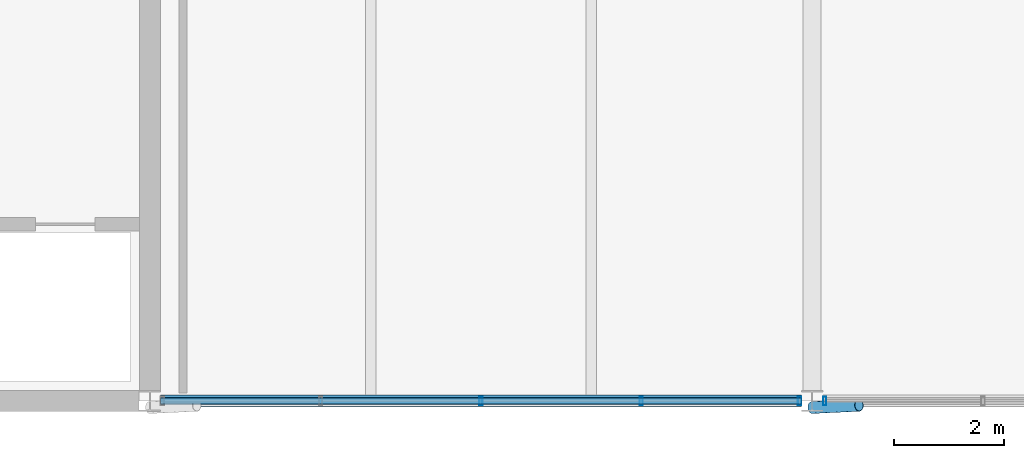
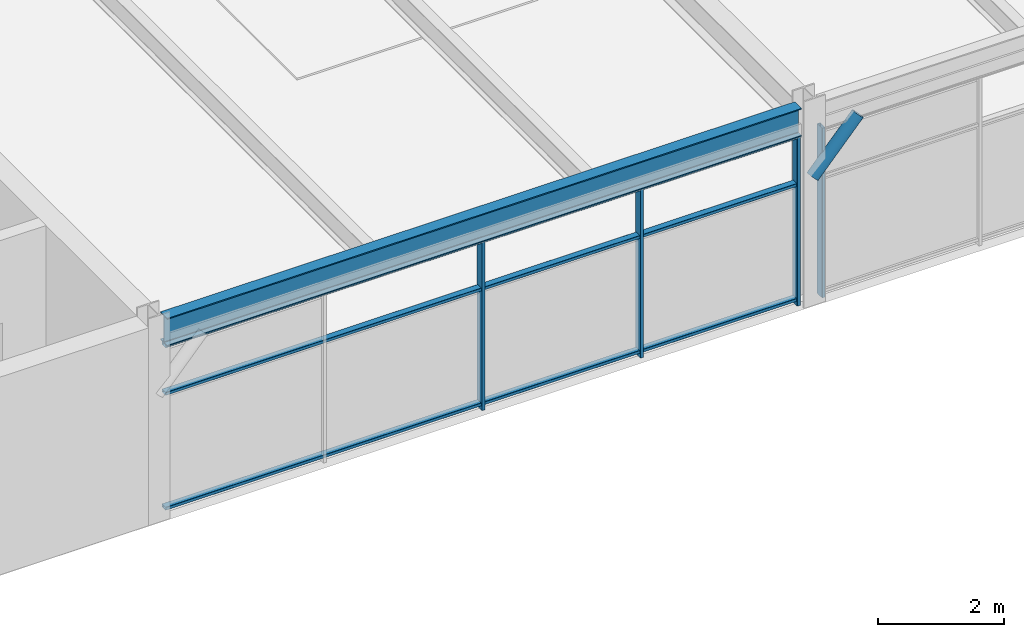
# One storey, part 27 of 51: 8 members, 1 beam, 2 elements without a shape of their own.
"""IFC4 building model written with IfcOpenShell, lengths in metres."""

from ifc_helpers import new_model, si_unit, direction, frame, origin, origin_2d, place, context, subcontext, project, spatial, hollow_rectangle, hollow_circle, i_section, extrude, material, material_profile, profile_set, type_object, element, aggregate, save


model = new_model("IFC4")

# Units and contexts
model_context = context("Model", 3, precision=1e-05, world=origin(), true_north=direction((0.0, 1.0)))
body_context = subcontext(model_context, "Body", "Model", "MODEL_VIEW")
ifc_project = project(units=[si_unit("LENGTHUNIT", "METRE"), si_unit("AREAUNIT", "SQUARE_METRE"), si_unit("VOLUMEUNIT", "CUBIC_METRE"), si_unit("PLANEANGLEUNIT", "RADIAN"), si_unit("MASSUNIT", "GRAM", prefix="KILO")], contexts=[model_context])

# Site, building, storey
site_placement = place(None, origin())
site = spatial("IfcSite", under=ifc_project, at=site_placement, CompositionType="ELEMENT")
building_placement = place(site_placement, origin())
building = spatial("IfcBuilding", under=site, at=building_placement, Name="Girod Span Mobility Hub", CompositionType="ELEMENT")
storey_placement = place(building_placement, frame((0.0, 0.0, 41.60009765625)))
storey = spatial("IfcBuildingStorey", under=building, at=storey_placement, Name="L10", CompositionType="ELEMENT", Elevation=41.60009765625)

# Beam
ifc_material_1 = material(Name="Steel A992 Grade 50", Category="steel")
ifc_material_profile_1 = material_profile(ifc_material_1, i_section(OverallWidth=0.2119140625, OverallDepth=0.5439453125, WebThickness=0.01318359375, FlangeThickness=0.021240234375, FilletRadius=0.014892578125, at=origin_2d()), Name="W21X83")
ifc_profile_set_1 = profile_set([ifc_material_profile_1], Name="Steel A992 Grade 50")
beam_type = type_object("IfcBeamType", Name="BM-STL-W21X83", PredefinedType="SPANDREL", material=ifc_profile_set_1)
beam_placement = place(storey_placement, frame((84.194091796875, 27.0, 3.552978515625), z_axis=(1.0, 0.0, 0.0), x_axis=(0.0, 1.0, 0.0)))
element("IfcBeam", 1, at=beam_placement, inside=storey, type_object=beam_type, Name="Girder 8-9/C L10", PredefinedType="SPANDREL", context=body_context, shape_type="SweptSolid", body=[
    extrude(i_section(OverallWidth=0.2119140625, OverallDepth=0.5439453125, WebThickness=0.01318359375, FlangeThickness=0.021240234375, FilletRadius=0.014892578125, at=origin_2d()), origin(), (0.0, 0.0, 1.0), 11.61181640625),
])

# Curtain wall, members
ifc_material_2 = material(Name="Thermally Broken Anodised Aluminium", Category="aluminium")
curtain_wall_type = type_object("IfcCurtainWallType", Name="CW-1161X328", PredefinedType="USERDEFINED", material=ifc_material_2)
curtain_wall_1_placement = place(storey_placement, origin())
curtain_wall_1 = element("IfcCurtainWall", 2, at=curtain_wall_1_placement, inside=storey, type_object=curtain_wall_type, Name="Unitised Curtain Wall CW-L10-S08 L10", ObjectType="UNITISED CURTAIN WALL", PredefinedType="USERDEFINED")
ifc_material_3 = material(Name="Thermally Broken Anodised Aluminium", Category="aluminium")
ifc_material_profile_2 = material_profile(ifc_material_3, hollow_rectangle(XDim=0.159912109375, YDim=0.06005859375, WallThickness=0.00341796875, InnerFilletRadius=0.00341796875, OuterFilletRadius=0.007080078125, at=origin_2d()), Name="CW-ML-60X160")
ifc_profile_set_2 = profile_set([ifc_material_profile_2], Name="Thermally Broken Anodised Aluminium")
member_type_1 = type_object("IfcMemberType", Name="CWM-ML-3", PredefinedType="MULLION", material=ifc_profile_set_2)
member_1_placement = place(storey_placement, frame((90.0, 27.0, 0.0), z_axis=(0.0, 0.0, 1.0), x_axis=(0.0, 1.0, 0.0)))
member_1 = element("IfcMember", 3, at=member_1_placement, type_object=member_type_1, Name="Curtain Wall Mullion CW-L10-S08-M2", PredefinedType="MULLION", context=body_context, shape_type="SweptSolid", body=[
    extrude(hollow_rectangle(XDim=0.159912109375, YDim=0.06005859375, WallThickness=0.00341796875, InnerFilletRadius=0.00341796875, OuterFilletRadius=0.007080078125, at=origin_2d()), origin(), (0.0, 0.0, 1.0), 3.281005859375),
])
member_2_placement = place(storey_placement, frame((92.902587890625, 27.0, 0.0), z_axis=(0.0, 0.0, 1.0), x_axis=(0.0, 1.0, 0.0)))
member_2 = element("IfcMember", 4, at=member_2_placement, type_object=member_type_1, Name="Curtain Wall Mullion CW-L10-S08-M3", PredefinedType="MULLION", context=body_context, shape_type="SweptSolid", body=[
    extrude(hollow_rectangle(XDim=0.159912109375, YDim=0.06005859375, WallThickness=0.00341796875, InnerFilletRadius=0.00341796875, OuterFilletRadius=0.007080078125, at=origin_2d()), origin(), (0.0, 0.0, 1.0), 3.281005859375),
])
member_3_placement = place(storey_placement, frame((95.77294921875, 27.0, 0.0), z_axis=(0.0, 0.0, 1.0), x_axis=(0.0, 1.0, 0.0)))
member_3 = element("IfcMember", 5, at=member_3_placement, type_object=member_type_1, Name="Curtain Wall Mullion CW-L10-S08-M4", PredefinedType="MULLION", context=body_context, shape_type="SweptSolid", body=[
    extrude(hollow_rectangle(XDim=0.159912109375, YDim=0.06005859375, WallThickness=0.00341796875, InnerFilletRadius=0.00341796875, OuterFilletRadius=0.007080078125, at=origin_2d()), origin(), (0.0, 0.0, 1.0), 3.281005859375),
])

# Curtain wall, member
curtain_wall_2_placement = place(storey_placement, origin())
curtain_wall_2 = element("IfcCurtainWall", 6, at=curtain_wall_2_placement, inside=storey, type_object=curtain_wall_type, Name="Unitised Curtain Wall CW-L10-S09 L10", ObjectType="UNITISED CURTAIN WALL", PredefinedType="USERDEFINED")
member_4_placement = place(storey_placement, frame((96.22705078125, 27.0, 0.0), z_axis=(0.0, 0.0, 1.0), x_axis=(0.0, 1.0, 0.0)))
member_4 = element("IfcMember", 7, at=member_4_placement, type_object=member_type_1, Name="Curtain Wall Mullion CW-L10-S09-M0", PredefinedType="MULLION", context=body_context, shape_type="SweptSolid", body=[
    extrude(hollow_rectangle(XDim=0.159912109375, YDim=0.06005859375, WallThickness=0.00341796875, InnerFilletRadius=0.00341796875, OuterFilletRadius=0.007080078125, at=origin_2d()), origin(), (0.0, 0.0, 1.0), 3.281005859375),
])
aggregate(curtain_wall_2, [member_4])

# Member
ifc_material_4 = material(Name="Thermally Broken Anodised Aluminium", Category="aluminium")
ifc_material_profile_3 = material_profile(ifc_material_4, hollow_rectangle(XDim=0.1201171875, YDim=0.06005859375, WallThickness=0.00341796875, InnerFilletRadius=0.00341796875, OuterFilletRadius=0.007080078125, at=origin_2d()), Name="CW-TR-60X120")
ifc_profile_set_3 = profile_set([ifc_material_profile_3], Name="Thermally Broken Anodised Aluminium")
member_type_2 = type_object("IfcMemberType", Name="CWM-TR-3", PredefinedType="USERDEFINED", material=ifc_profile_set_3)
member_5_placement = place(storey_placement, frame((84.195068359375, 27.0, 0.10986328125), z_axis=(1.0, 0.0, 0.0), x_axis=(0.0, 1.0, 0.0)))
member_5 = element("IfcMember", 8, at=member_5_placement, type_object=member_type_2, Name="Curtain Wall Transom CW-L10-S08-T1", ObjectType="TRANSOM", PredefinedType="USERDEFINED", context=body_context, shape_type="SweptSolid", body=[
    extrude(hollow_rectangle(XDim=0.1201171875, YDim=0.06005859375, WallThickness=0.00341796875, InnerFilletRadius=0.00341796875, OuterFilletRadius=0.007080078125, at=origin_2d()), origin(), (0.0, 0.0, 1.0), 11.60986328125),
])

member_6_placement = place(storey_placement, frame((84.195068359375, 27.0, 2.332275390625), z_axis=(1.0, 0.0, 0.0), x_axis=(0.0, 1.0, 0.0)))
member_6 = element("IfcMember", 9, at=member_6_placement, type_object=member_type_2, Name="Curtain Wall Transom CW-L10-S08-T2", ObjectType="TRANSOM", PredefinedType="USERDEFINED", context=body_context, shape_type="SweptSolid", body=[
    extrude(hollow_rectangle(XDim=0.1201171875, YDim=0.06005859375, WallThickness=0.00341796875, InnerFilletRadius=0.00341796875, OuterFilletRadius=0.007080078125, at=origin_2d()), origin(), (0.0, 0.0, 1.0), 11.60986328125),
])

member_7_placement = place(storey_placement, frame((84.195068359375, 27.0, 3.2509765625), z_axis=(1.0, 0.0, 0.0), x_axis=(0.0, 1.0, 0.0)))
member_7 = element("IfcMember", 10, at=member_7_placement, type_object=member_type_2, Name="Curtain Wall Transom CW-L10-S08-T3", ObjectType="TRANSOM", PredefinedType="USERDEFINED", context=body_context, shape_type="SweptSolid", body=[
    extrude(hollow_rectangle(XDim=0.1201171875, YDim=0.06005859375, WallThickness=0.00341796875, InnerFilletRadius=0.00341796875, OuterFilletRadius=0.007080078125, at=origin_2d()), origin(), (0.0, 0.0, 1.0), 11.60986328125),
])

aggregate(curtain_wall_1, [member_1, member_2, member_3, member_5, member_6, member_7])

ifc_material_5 = material(Name="Steel HSS A500 Grade C", Category="steel")
ifc_material_profile_4 = material_profile(ifc_material_5, hollow_circle(Radius=0.109619140625, WallThickness=0.0087890625, at=origin_2d()), Name="HSS219X9.5")
ifc_profile_set_4 = profile_set([ifc_material_profile_4], Name="Steel HSS A500 Grade C")
member_type_3 = type_object("IfcMemberType", Name="MB-ST-HSS219", PredefinedType="STRUT", material=ifc_profile_set_4)
member_8_placement = place(storey_placement, frame((96.0, 26.8798828125, 2.449951171875), z_axis=(0.68831469116, 0.032419187062, 0.72468743762), x_axis=(-0.047047213483, 0.998892666758, 0.0)))
element("IfcMember", 11, at=member_8_placement, inside=storey, type_object=member_type_3, Name="Solar Shading Knee Strut 9 L10", PredefinedType="STRUT", context=body_context, shape_type="SweptSolid", body=[
    extrude(hollow_circle(Radius=0.109619140625, WallThickness=0.0087890625, at=origin_2d()), origin(), (0.0, 0.0, 1.0), 1.235107421875),
])

save(model, "model.ifc")
